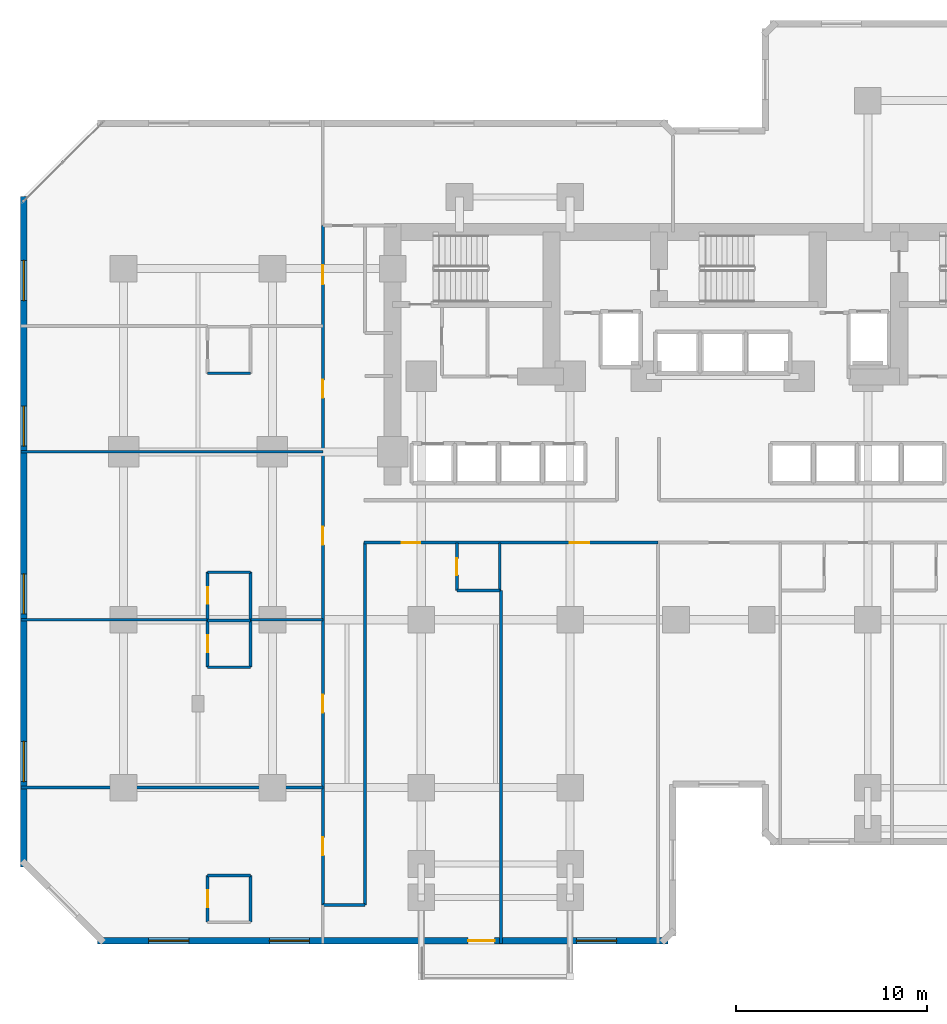
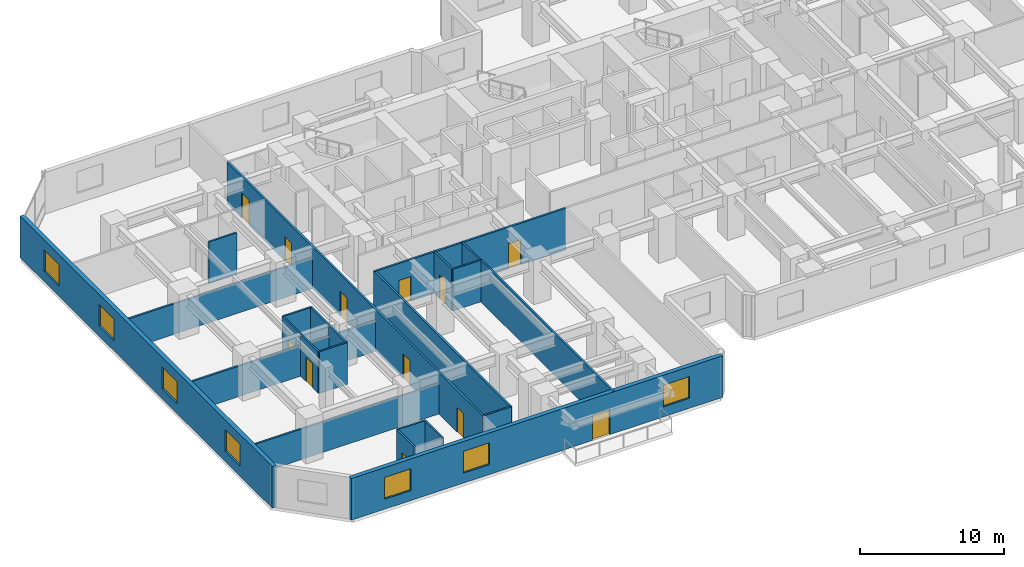
# One storey, part 5 of 12: 25 walls, 12 doors, 7 windows, 19 openings.
"""IFC4 building model written with IfcOpenShell, lengths in metres."""

import ifcopenshell
import ifcopenshell.guid

model = None  # the IFC model being written
_history = None  # IfcOwnerHistory: only IFC2X3 demands one
_inside = {}  # id of a spatial element -> (the spatial element, [elements in it])
_under = {}  # id of a project, library or spatial element -> (it, [spatial elements below it])
_declared = {}  # id of a project -> (the project, [libraries it declares])
_typed = {}  # id of a type object -> (the type object, [elements of that type])
_made_of = {}  # id of a material, layer set ... -> (it, [elements and type objects made of it])


def new_model(schema):
    """Start an empty IFC model of exactly this schema.

    Asked for "IFC4X3", IfcOpenShell would pick the latest addendum, in which some entities
    have other attributes; the version numbers below select the first issue.
    IFC2X3 requires an IfcOwnerHistory on every rooted entity: one is made here for all.
    """
    global model, _history
    if schema == "IFC4X3":
        model = ifcopenshell.file(schema_version=(4, 3, 0, 0))
    else:
        model = ifcopenshell.file(schema=schema)
    _inside.clear()
    _under.clear()
    _declared.clear()
    _typed.clear()
    _made_of.clear()
    _history = None
    if model.schema == "IFC2X3":
        org = make("IfcOrganization", Name="unknown")
        user = make(
            "IfcPersonAndOrganization",
            ThePerson=make("IfcPerson", FamilyName="unknown"),
            TheOrganization=org,
        )
        app = make(
            "IfcApplication",
            ApplicationDeveloper=org,
            Version="unknown",
            ApplicationFullName="unknown",
            ApplicationIdentifier="unknown",
        )
        _history = make(
            "IfcOwnerHistory",
            OwningUser=user,
            OwningApplication=app,
            ChangeAction="ADDED",
            CreationDate=0,
        )
    return model


def make(cls, **values):
    """One entity of the class cls with the attributes given. An attribute that is None is left unset."""
    return model.create_entity(
        cls, **{name: value for name, value in values.items() if value is not None}
    )


def rooted(cls, **values):
    """An entity with a GlobalId (a new one), such as an element, a storey or a relation."""
    return make(cls, GlobalId=ifcopenshell.guid.new(), OwnerHistory=_history, **values)


def si_unit(unit_type, name, prefix=None):
    """IfcSIUnit, for example si_unit("LENGTHUNIT", "METRE", prefix="MILLI")."""
    return make("IfcSIUnit", UnitType=unit_type, Prefix=prefix, Name=name)


def assignment(units):
    """IfcUnitAssignment: the units of a project."""
    return None if units is None else make("IfcUnitAssignment", Units=units)


def point(xyz):
    """IfcCartesianPoint."""
    return None if xyz is None else make("IfcCartesianPoint", Coordinates=xyz)


def direction(xyz):
    """IfcDirection."""
    return None if xyz is None else make("IfcDirection", DirectionRatios=xyz)


def frame(location, z_axis=None, x_axis=None):
    """IfcAxis2Placement3D, a coordinate frame: its origin and axes. An axis left out is left unset."""
    return make(
        "IfcAxis2Placement3D",
        Location=point(location),
        Axis=direction(z_axis),
        RefDirection=direction(x_axis),
    )


def frame_2d(location, x_axis=None):
    """IfcAxis2Placement2D, a coordinate frame in the plane: its origin and x axis."""
    return make(
        "IfcAxis2Placement2D", Location=point(location), RefDirection=direction(x_axis)
    )


def origin():
    """The frame at (0, 0, 0) with its axes left unset."""
    return frame((0.0, 0.0, 0.0))


def place(relative_to, where):
    """IfcLocalPlacement: puts the frame where relative to a parent placement (None: the world)."""
    return make(
        "IfcLocalPlacement", PlacementRelTo=relative_to, RelativePlacement=where
    )


def context(
    kind, dimensions, precision=None, world=None, true_north=None, identifier=None
):
    """IfcGeometricRepresentationContext, for example the 3D "Model" context."""
    return make(
        "IfcGeometricRepresentationContext",
        ContextIdentifier=identifier,
        ContextType=kind,
        CoordinateSpaceDimension=dimensions,
        Precision=precision,
        WorldCoordinateSystem=world,
        TrueNorth=true_north,
    )


def subcontext(parent, identifier, kind, view, scale=None):
    """IfcGeometricRepresentationSubContext, for example "Body" below "Model"."""
    return make(
        "IfcGeometricRepresentationSubContext",
        ContextIdentifier=identifier,
        ContextType=kind,
        ParentContext=parent,
        TargetScale=scale,
        TargetView=view,
    )


def project(units=None, contexts=None):
    """IfcProject with its units and contexts."""
    return rooted(
        "IfcProject",
        Name="project",
        RepresentationContexts=contexts,
        UnitsInContext=assignment(units),
    )


def spatial(cls, under=None, at=None, **own):
    """A site, building, storey or space (cls), placed at a placement, below another one or the project."""
    s = rooted(cls, ObjectPlacement=at, **own)
    if under is not None:
        _under.setdefault(under.id(), (under, []))[1].append(s)
    return s


def profile(cls, at=None, kind="AREA", **sizes):
    """A parametric profile (cls). Its sizes go by their IFC names, for example OverallWidth=200.0."""
    return make(cls, ProfileType=kind, Position=at, **sizes)


def rectangle(**sizes):
    """IfcRectangleProfileDef."""
    return profile("IfcRectangleProfileDef", **sizes)


def extrude(swept, where, along, depth):
    """IfcExtrudedAreaSolid: the profile swept, set in the frame where, extruded along a direction by depth."""
    return make(
        "IfcExtrudedAreaSolid",
        SweptArea=swept,
        Position=where,
        ExtrudedDirection=direction(along),
        Depth=depth,
    )


def shape(context_of_items, identifier, shape_type, items):
    """IfcShapeRepresentation: the items that make up one representation, for example the "Body"."""
    return make(
        "IfcShapeRepresentation",
        ContextOfItems=context_of_items,
        RepresentationIdentifier=identifier,
        RepresentationType=shape_type,
        Items=items,
    )


def material(Name=None, Category=None):
    """IfcMaterial."""
    return make("IfcMaterial", Name=Name, Category=Category)


def layer(
    of_material, thickness, ventilated=None, Name=None, Category=None, Priority=None
):
    """IfcMaterialLayer: one layer of a wall or slab, of a material (None: an air gap)."""
    return make(
        "IfcMaterialLayer",
        Material=of_material,
        LayerThickness=thickness,
        IsVentilated=ventilated,
        Name=Name,
        Category=Category,
        Priority=Priority,
    )


def layer_set(layers, Name=None):
    """IfcMaterialLayerSet."""
    return make("IfcMaterialLayerSet", MaterialLayers=layers, LayerSetName=Name)


def made_of(thing, what):
    """Note that an element or type object is made of a material, layer set ...; save() writes the relation."""
    if what is not None:
        _made_of.setdefault(what.id(), (what, []))[1].append(thing)
    return thing


def type_object(cls, material=None, **own):
    """A type object (cls), such as IfcWallType, which elements share."""
    return made_of(rooted(cls, **own), material)


def element(
    cls,
    number,
    at=None,
    inside=None,
    cuts=None,
    type_object=None,
    material=None,
    context=None,
    identifier="Body",
    shape_type=None,
    held_by="IfcProductDefinitionShape",
    body=None,
    shapes=None,
    **own,
):
    """One element of the class cls, such as IfcWall. Its Tag is "e" and its number.

    at: its placement. inside: the storey or other place that contains it. cuts: it is an
    opening in that element (IfcRelVoidsElement). A single representation is given by context,
    identifier, shape_type and body (its items); several are given by shapes. held_by: the class
    of the entity that holds the representations. save() writes the other relations.
    """
    e = rooted(cls, Tag="e%d" % number, ObjectPlacement=at, **own)
    if body is not None:
        shapes = [shape(context, identifier, shape_type, body)]
    if shapes is not None:
        e.Representation = make(held_by, Representations=shapes)
    if inside is not None:
        _inside.setdefault(inside.id(), (inside, []))[1].append(e)
    if cuts is not None:
        rooted(
            "IfcRelVoidsElement", RelatingBuildingElement=cuts, RelatedOpeningElement=e
        )
    if type_object is not None:
        _typed.setdefault(type_object.id(), (type_object, []))[1].append(e)
    return made_of(e, material)


def fill(opening, filler):
    """IfcRelFillsElement: the door or window that sits in an opening."""
    return rooted(
        "IfcRelFillsElement",
        RelatingOpeningElement=opening,
        RelatedBuildingElement=filler,
    )


def aggregate(whole, parts):
    """IfcRelAggregates: a whole, such as a stair, and the parts it consists of."""
    return rooted("IfcRelAggregates", RelatingObject=whole, RelatedObjects=parts)


def save(model, path):
    """Write the relations noted so far, then the file.

    IfcRelAggregates (storeys below a building ...), IfcRelContainedInSpatialStructure (elements
    in a storey), IfcRelDefinesByType, IfcRelAssociatesMaterial and IfcRelDeclares: one each for
    every whole, place, type object, material and project.
    """
    for whole, parts in _under.values():
        aggregate(whole, parts)
    for where, things in _inside.values():
        rooted(
            "IfcRelContainedInSpatialStructure",
            RelatedElements=things,
            RelatingStructure=where,
        )
    for kind, things in _typed.values():
        rooted("IfcRelDefinesByType", RelatedObjects=things, RelatingType=kind)
    for what, things in _made_of.values():
        rooted("IfcRelAssociatesMaterial", RelatedObjects=things, RelatingMaterial=what)
    for by, libraries in _declared.values():
        rooted("IfcRelDeclares", RelatingContext=by, RelatedDefinitions=libraries)
    model.write(path)


model = new_model("IFC4")

# Units and contexts
model_context = context("Model", 3, precision=1e-05, world=origin(), true_north=direction((0.0, 1.0)))
body_context = subcontext(model_context, "Body", "Model", "MODEL_VIEW")
ifc_project = project(units=[si_unit("LENGTHUNIT", "METRE"), si_unit("AREAUNIT", "SQUARE_METRE"), si_unit("VOLUMEUNIT", "CUBIC_METRE"), si_unit("PLANEANGLEUNIT", "RADIAN"), si_unit("MASSUNIT", "GRAM", prefix="KILO")], contexts=[model_context])

# Site, building, storey
site_placement = place(None, origin())
site = spatial("IfcSite", under=ifc_project, at=site_placement, CompositionType="ELEMENT")
building_placement = place(site_placement, origin())
building = spatial("IfcBuilding", under=site, at=building_placement, Name="Kestravale Grand Hotel", CompositionType="ELEMENT")
storey_placement = place(building_placement, frame((0.0, 0.0, 67.800048828125)))
storey = spatial("IfcBuildingStorey", under=building, at=storey_placement, Name="L16", CompositionType="ELEMENT", Elevation=67.800048828125)

# Wall, openings, door, windows
ifc_material_1 = material(Name="Precast concrete f'c 45 MPa", Category="concrete")
ifc_layer_1 = layer(ifc_material_1, 0.340087890625)
ifc_layer_set_1 = layer_set([ifc_layer_1], Name="EW-PREC-340")
wall_type_1 = type_object("IfcWallType", Name="EW-PREC-340", PredefinedType="SOLIDWALL", material=ifc_layer_set_1)
wall_1_placement = place(storey_placement, frame((6.429931640625, 3.169921875, 0.0), z_axis=(0.0, 0.0, 1.0), x_axis=(1.0, 0.0, 0.0)))
wall_1 = element("IfcWall", 1, at=wall_1_placement, inside=storey, type_object=wall_type_1, Name="L16 fluted precast facade wall 1", PredefinedType="SOLIDWALL", context=body_context, shape_type="SweptSolid", body=[
    extrude(rectangle(XDim=29.89013671875, YDim=0.340087890625, at=frame_2d((14.945068359375, 0.0))), origin(), (0.0, 0.0, 1.0), 3.5400390625),
])
opening_1_placement = place(wall_1_placement, frame((19.419921875, 0.0, 0.0)))
opening_1 = element("IfcOpeningElement", 2, at=opening_1_placement, cuts=wall_1, Name="Opening D-TERR-1400", PredefinedType="OPENING", context=body_context, shape_type="SweptSolid", body=[
    extrude(rectangle(XDim=1.39990234375, YDim=2.14990234375, at=frame_2d((0.699951171875, 1.074951171875))), frame((0.0, 0.179931640625, 0.0), z_axis=(0.0, -1.0, 0.0), x_axis=(1.0, 0.0, 0.0)), (0.0, 0.0, 1.0), 0.360107421875),
])
opening_2_placement = place(wall_1_placement, frame((2.686279296875, 0.0, 0.85009765625)))
opening_2 = element("IfcOpeningElement", 3, at=opening_2_placement, cuts=wall_1, Name="Opening W-GUEST-2100", PredefinedType="OPENING", context=body_context, shape_type="SweptSolid", body=[
    extrude(rectangle(XDim=2.10009765625, YDim=1.85009765625, at=frame_2d((1.050048828125, 0.925048828125))), frame((0.0, 0.179931640625, 0.0), z_axis=(0.0, -1.0, 0.0), x_axis=(1.0, 0.0, 0.0)), (0.0, 0.0, 1.0), 0.360107421875),
])
opening_3_placement = place(wall_1_placement, frame((9.0087890625, 0.0, 0.85009765625)))
opening_3 = element("IfcOpeningElement", 4, at=opening_3_placement, cuts=wall_1, Name="Opening W-GUEST-2100", PredefinedType="OPENING", context=body_context, shape_type="SweptSolid", body=[
    extrude(rectangle(XDim=2.10009765625, YDim=1.85009765625, at=frame_2d((1.050048828125, 0.925048828125))), frame((0.0, 0.179931640625, 0.0), z_axis=(0.0, -1.0, 0.0), x_axis=(1.0, 0.0, 0.0)), (0.0, 0.0, 1.0), 0.360107421875),
])
opening_4_placement = place(wall_1_placement, frame((25.103759765625, 0.0, 0.85009765625)))
opening_4 = element("IfcOpeningElement", 5, at=opening_4_placement, cuts=wall_1, Name="Opening W-GUEST-2100", PredefinedType="OPENING", context=body_context, shape_type="SweptSolid", body=[
    extrude(rectangle(XDim=2.10009765625, YDim=1.85009765625, at=frame_2d((1.050048828125, 0.925048828125))), frame((0.0, 0.179931640625, 0.0), z_axis=(0.0, -1.0, 0.0), x_axis=(1.0, 0.0, 0.0)), (0.0, 0.0, 1.0), 0.360107421875),
])
ifc_material_2 = material(Name="Insulated glazed champagne-bronze aluminium door", Category="aluminium")
door_type_1 = type_object("IfcDoorType", Name="D-TERR-1400", OperationType="NOTDEFINED", PredefinedType="DOOR", material=ifc_material_2)
door_1_placement = place(opening_1_placement, origin())
door_1 = element("IfcDoor", 6, at=door_1_placement, inside=storey, type_object=door_type_1, Name="L16 outdoor garden terrace door", OperationType="DOUBLE_DOOR_SINGLE_SWING", OverallHeight=2.14990234375, OverallWidth=1.39990234375, PredefinedType="DOOR", context=body_context, shape_type="SweptSolid", body=[
    extrude(rectangle(XDim=1.39990234375, YDim=2.14990234375, at=frame_2d((0.699951171875, 1.074951171875))), frame((0.0, 0.02490234375, 0.0), z_axis=(0.0, -1.0, 0.0), x_axis=(1.0, 0.0, 0.0)), (0.0, 0.0, 1.0), 0.050048828125),
])
fill(opening_1, door_1)
ifc_material_3 = material(Name="Insulated low-E double glazing in aluminium frame", Category="aluminium")
window_type = type_object("IfcWindowType", Name="W-GUEST-2100", PartitioningType="DOUBLE_PANEL_VERTICAL", PredefinedType="WINDOW", material=ifc_material_3)
window_1_placement = place(opening_2_placement, origin())
window_1 = element("IfcWindow", 7, at=window_1_placement, inside=storey, type_object=window_type, Name="L16 exterior window 1.1", OverallHeight=1.85009765625, OverallWidth=2.10009765625, PartitioningType="SINGLE_PANEL", PredefinedType="WINDOW", context=body_context, shape_type="SweptSolid", body=[
    extrude(rectangle(XDim=2.10009765625, YDim=1.85009765625, at=frame_2d((1.050048828125, 0.925048828125))), frame((0.0, 0.030029296875, 0.0), z_axis=(0.0, -1.0, 0.0), x_axis=(1.0, 0.0, 0.0)), (0.0, 0.0, 1.0), 0.06005859375),
])
fill(opening_2, window_1)
window_2_placement = place(opening_3_placement, origin())
window_2 = element("IfcWindow", 8, at=window_2_placement, inside=storey, type_object=window_type, Name="L16 exterior window 1.2", OverallHeight=1.85009765625, OverallWidth=2.10009765625, PartitioningType="SINGLE_PANEL", PredefinedType="WINDOW", context=body_context, shape_type="SweptSolid", body=[
    extrude(rectangle(XDim=2.10009765625, YDim=1.85009765625, at=frame_2d((1.050048828125, 0.925048828125))), frame((0.0, 0.030029296875, 0.0), z_axis=(0.0, -1.0, 0.0), x_axis=(1.0, 0.0, 0.0)), (0.0, 0.0, 1.0), 0.06005859375),
])
fill(opening_3, window_2)
window_3_placement = place(opening_4_placement, origin())
window_3 = element("IfcWindow", 9, at=window_3_placement, inside=storey, type_object=window_type, Name="L16 exterior window 1.3", OverallHeight=1.85009765625, OverallWidth=2.10009765625, PartitioningType="SINGLE_PANEL", PredefinedType="WINDOW", context=body_context, shape_type="SweptSolid", body=[
    extrude(rectangle(XDim=2.10009765625, YDim=1.85009765625, at=frame_2d((1.050048828125, 0.925048828125))), frame((0.0, 0.030029296875, 0.0), z_axis=(0.0, -1.0, 0.0), x_axis=(1.0, 0.0, 0.0)), (0.0, 0.0, 1.0), 0.06005859375),
])
fill(opening_4, window_3)

# Wall, openings, windows
wall_2_placement = place(storey_placement, frame((2.570068359375, 42.169921875, 0.0), z_axis=(0.0, 0.0, 1.0), x_axis=(0.0, -1.0, 0.0)))
wall_2 = element("IfcWall", 10, at=wall_2_placement, inside=storey, type_object=wall_type_1, Name="L16 fluted precast facade wall 19", PredefinedType="SOLIDWALL", context=body_context, shape_type="SweptSolid", body=[
    extrude(rectangle(XDim=35.139892578125, YDim=0.340087890625, at=frame_2d((17.56982421875, 0.0))), origin(), (0.0, 0.0, 1.0), 3.5400390625),
])
opening_5_placement = place(wall_2_placement, frame((3.342529296875, 0.0, 0.85009765625)))
opening_5 = element("IfcOpeningElement", 11, at=opening_5_placement, cuts=wall_2, Name="Opening W-GUEST-2100", PredefinedType="OPENING", context=body_context, shape_type="SweptSolid", body=[
    extrude(rectangle(XDim=2.10009765625, YDim=1.85009765625, at=frame_2d((1.050048828125, 0.925048828125))), frame((0.0, 0.179931640625, 0.0), z_axis=(0.0, -1.0, 0.0), x_axis=(1.0, 0.0, 0.0)), (0.0, 0.0, 1.0), 0.360107421875),
])
opening_6_placement = place(wall_2_placement, frame((10.9775390625, 0.0, 0.85009765625)))
opening_6 = element("IfcOpeningElement", 12, at=opening_6_placement, cuts=wall_2, Name="Opening W-GUEST-2100", PredefinedType="OPENING", context=body_context, shape_type="SweptSolid", body=[
    extrude(rectangle(XDim=2.10009765625, YDim=1.85009765625, at=frame_2d((1.050048828125, 0.925048828125))), frame((0.0, 0.179931640625, 0.0), z_axis=(0.0, -1.0, 0.0), x_axis=(1.0, 0.0, 0.0)), (0.0, 0.0, 1.0), 0.360107421875),
])
opening_7_placement = place(wall_2_placement, frame((19.762451171875, 0.0, 0.85009765625)))
opening_7 = element("IfcOpeningElement", 13, at=opening_7_placement, cuts=wall_2, Name="Opening W-GUEST-2100", PredefinedType="OPENING", context=body_context, shape_type="SweptSolid", body=[
    extrude(rectangle(XDim=2.10009765625, YDim=1.85009765625, at=frame_2d((1.050048828125, 0.925048828125))), frame((0.0, 0.179931640625, 0.0), z_axis=(0.0, -1.0, 0.0), x_axis=(1.0, 0.0, 0.0)), (0.0, 0.0, 1.0), 0.360107421875),
])
opening_8_placement = place(wall_2_placement, frame((28.547607421875, 0.0, 0.85009765625)))
opening_8 = element("IfcOpeningElement", 14, at=opening_8_placement, cuts=wall_2, Name="Opening W-GUEST-2100", PredefinedType="OPENING", context=body_context, shape_type="SweptSolid", body=[
    extrude(rectangle(XDim=2.10009765625, YDim=1.85009765625, at=frame_2d((1.050048828125, 0.925048828125))), frame((0.0, 0.179931640625, 0.0), z_axis=(0.0, -1.0, 0.0), x_axis=(1.0, 0.0, 0.0)), (0.0, 0.0, 1.0), 0.360107421875),
])
window_4_placement = place(opening_5_placement, origin())
window_4 = element("IfcWindow", 15, at=window_4_placement, inside=storey, type_object=window_type, Name="L16 exterior window 19.1", OverallHeight=1.85009765625, OverallWidth=2.10009765625, PartitioningType="SINGLE_PANEL", PredefinedType="WINDOW", context=body_context, shape_type="SweptSolid", body=[
    extrude(rectangle(XDim=2.10009765625, YDim=1.85009765625, at=frame_2d((1.050048828125, 0.925048828125))), frame((0.0, 0.030029296875, 0.0), z_axis=(0.0, -1.0, 0.0), x_axis=(1.0, 0.0, 0.0)), (0.0, 0.0, 1.0), 0.06005859375),
])
fill(opening_5, window_4)
window_5_placement = place(opening_6_placement, origin())
window_5 = element("IfcWindow", 16, at=window_5_placement, inside=storey, type_object=window_type, Name="L16 exterior window 19.2", OverallHeight=1.85009765625, OverallWidth=2.10009765625, PartitioningType="SINGLE_PANEL", PredefinedType="WINDOW", context=body_context, shape_type="SweptSolid", body=[
    extrude(rectangle(XDim=2.10009765625, YDim=1.85009765625, at=frame_2d((1.050048828125, 0.925048828125))), frame((0.0, 0.030029296875, 0.0), z_axis=(0.0, -1.0, 0.0), x_axis=(1.0, 0.0, 0.0)), (0.0, 0.0, 1.0), 0.06005859375),
])
fill(opening_6, window_5)
window_6_placement = place(opening_7_placement, origin())
window_6 = element("IfcWindow", 17, at=window_6_placement, inside=storey, type_object=window_type, Name="L16 exterior window 19.3", OverallHeight=1.85009765625, OverallWidth=2.10009765625, PartitioningType="SINGLE_PANEL", PredefinedType="WINDOW", context=body_context, shape_type="SweptSolid", body=[
    extrude(rectangle(XDim=2.10009765625, YDim=1.85009765625, at=frame_2d((1.050048828125, 0.925048828125))), frame((0.0, 0.030029296875, 0.0), z_axis=(0.0, -1.0, 0.0), x_axis=(1.0, 0.0, 0.0)), (0.0, 0.0, 1.0), 0.06005859375),
])
fill(opening_7, window_6)
window_7_placement = place(opening_8_placement, origin())
window_7 = element("IfcWindow", 18, at=window_7_placement, inside=storey, type_object=window_type, Name="L16 exterior window 19.4", OverallHeight=1.85009765625, OverallWidth=2.10009765625, PartitioningType="SINGLE_PANEL", PredefinedType="WINDOW", context=body_context, shape_type="SweptSolid", body=[
    extrude(rectangle(XDim=2.10009765625, YDim=1.85009765625, at=frame_2d((1.050048828125, 0.925048828125))), frame((0.0, 0.030029296875, 0.0), z_axis=(0.0, -1.0, 0.0), x_axis=(1.0, 0.0, 0.0)), (0.0, 0.0, 1.0), 0.06005859375),
])
fill(opening_8, window_7)

# Wall, openings, doors
ifc_material_4 = material(Name="Acoustic fire-rated gypsum board partition", Category="other")
ifc_layer_2 = layer(ifc_material_4, 0.159912109375)
ifc_layer_set_2 = layer_set([ifc_layer_2], Name="IW-CORR-160")
wall_type_2 = type_object("IfcWallType", Name="IW-CORR-160", PredefinedType="PARTITIONING", material=ifc_layer_set_2)
wall_3_placement = place(storey_placement, frame((20.39990234375, 24.0400390625, 0.0), z_axis=(0.0, 0.0, 1.0), x_axis=(1.0, 0.0, 0.0)))
wall_3 = element("IfcWall", 19, at=wall_3_placement, inside=storey, type_object=wall_type_2, Name="W-L16-CW-S", PredefinedType="PARTITIONING", context=body_context, shape_type="SweptSolid", body=[
    extrude(rectangle(XDim=15.400146484375, YDim=0.159912109375, at=frame_2d((7.7001953125, 0.0))), origin(), (0.0, 0.0, 1.0), 3.5400390625),
])
opening_9_placement = place(wall_3_placement, frame((1.989990234375, 0.0, 0.0)))
opening_9 = element("IfcOpeningElement", 20, at=opening_9_placement, cuts=wall_3, Name="Opening D-GUEST-950", PredefinedType="OPENING", context=body_context, shape_type="SweptSolid", body=[
    extrude(rectangle(XDim=0.949951171875, YDim=2.10009765625, at=frame_2d((0.47509765625, 1.050048828125))), frame((0.0, 0.08984375, 0.0), z_axis=(0.0, -1.0, 0.0), x_axis=(1.0, 0.0, 0.0)), (0.0, 0.0, 1.0), 0.179931640625),
])
opening_10_placement = place(wall_3_placement, frame((10.7900390625, 0.0, 0.0)))
opening_10 = element("IfcOpeningElement", 21, at=opening_10_placement, cuts=wall_3, Name="Opening D-GUEST-1000", PredefinedType="OPENING", context=body_context, shape_type="SweptSolid", body=[
    extrude(rectangle(XDim=1.0, YDim=2.14990234375, at=frame_2d((0.5, 1.074951171875))), frame((0.0, 0.08984375, 0.0), z_axis=(0.0, -1.0, 0.0), x_axis=(1.0, 0.0, 0.0)), (0.0, 0.0, 1.0), 0.179931640625),
])
ifc_material_5 = material(Name="Accessible walnut veneer hotel entrance fire door", Category="wood")
door_type_2 = type_object("IfcDoorType", Name="D-GUEST-1000", OperationType="NOTDEFINED", PredefinedType="DOOR", material=ifc_material_5)
door_2_placement = place(opening_10_placement, origin())
door_2 = element("IfcDoor", 22, at=door_2_placement, inside=storey, type_object=door_type_2, Name="D-L16-AMW", OperationType="SINGLE_SWING_LEFT", OverallHeight=2.14990234375, OverallWidth=1.0, PredefinedType="DOOR", context=body_context, shape_type="SweptSolid", body=[
    extrude(rectangle(XDim=1.0, YDim=2.14990234375, at=frame_2d((0.5, 1.074951171875))), frame((0.0, 0.02490234375, 0.0), z_axis=(0.0, -1.0, 0.0), x_axis=(1.0, 0.0, 0.0)), (0.0, 0.0, 1.0), 0.050048828125),
])
fill(opening_10, door_2)
ifc_material_6 = material(Name="Walnut veneer hotel guestroom entrance fire door", Category="wood")
door_type_3 = type_object("IfcDoorType", Name="D-GUEST-950", OperationType="NOTDEFINED", PredefinedType="DOOR", material=ifc_material_6)
door_3_placement = place(opening_9_placement, origin())
door_3 = element("IfcDoor", 23, at=door_3_placement, inside=storey, type_object=door_type_3, Name="D-L16-U01-ENT", OperationType="SINGLE_SWING_RIGHT", OverallHeight=2.10009765625, OverallWidth=0.949951171875, PredefinedType="DOOR", context=body_context, shape_type="SweptSolid", body=[
    extrude(rectangle(XDim=0.949951171875, YDim=2.10009765625, at=frame_2d((0.47509765625, 1.050048828125))), frame((0.0, 0.02490234375, 0.0), z_axis=(0.0, -1.0, 0.0), x_axis=(1.0, 0.0, 0.0)), (0.0, 0.0, 1.0), 0.050048828125),
])
fill(opening_9, door_3)

wall_4_placement = place(storey_placement, frame((18.239990234375, 5.050048828125, 0.0), z_axis=(0.0, 0.0, 1.0), x_axis=(0.0, 1.0, 0.0)))
wall_4 = element("IfcWall", 24, at=wall_4_placement, inside=storey, type_object=wall_type_2, Name="W-L16-SW-W", PredefinedType="PARTITIONING", context=body_context, shape_type="SweptSolid", body=[
    extrude(rectangle(XDim=35.599853515625, YDim=0.159912109375, at=frame_2d((17.7998046875, 0.0))), origin(), (0.0, 0.0, 1.0), 3.5400390625),
])
opening_11_placement = place(wall_4_placement, frame((2.60009765625, 0.0, 0.0)))
opening_11 = element("IfcOpeningElement", 25, at=opening_11_placement, cuts=wall_4, Name="Opening D-GUEST-950", PredefinedType="OPENING", context=body_context, shape_type="SweptSolid", body=[
    extrude(rectangle(XDim=0.949951171875, YDim=2.10009765625, at=frame_2d((0.47509765625, 1.050048828125))), frame((0.0, 0.08984375, 0.0), z_axis=(0.0, -1.0, 0.0), x_axis=(1.0, 0.0, 0.0)), (0.0, 0.0, 1.0), 0.179931640625),
])
opening_12_placement = place(wall_4_placement, frame((10.074951171875, 0.0, 0.0)))
opening_12 = element("IfcOpeningElement", 26, at=opening_12_placement, cuts=wall_4, Name="Opening D-GUEST-950", PredefinedType="OPENING", context=body_context, shape_type="SweptSolid", body=[
    extrude(rectangle(XDim=0.949951171875, YDim=2.10009765625, at=frame_2d((0.47509765625, 1.050048828125))), frame((0.0, 0.08984375, 0.0), z_axis=(0.0, -1.0, 0.0), x_axis=(1.0, 0.0, 0.0)), (0.0, 0.0, 1.0), 0.179931640625),
])
opening_13_placement = place(wall_4_placement, frame((18.875, 0.0, 0.0)))
opening_13 = element("IfcOpeningElement", 27, at=opening_13_placement, cuts=wall_4, Name="Opening D-GUEST-950", PredefinedType="OPENING", context=body_context, shape_type="SweptSolid", body=[
    extrude(rectangle(XDim=0.949951171875, YDim=2.10009765625, at=frame_2d((0.47509765625, 1.050048828125))), frame((0.0, 0.08984375, 0.0), z_axis=(0.0, -1.0, 0.0), x_axis=(1.0, 0.0, 0.0)), (0.0, 0.0, 1.0), 0.179931640625),
])
opening_14_placement = place(wall_4_placement, frame((26.574951171875, 0.0, 0.0)))
opening_14 = element("IfcOpeningElement", 28, at=opening_14_placement, cuts=wall_4, Name="Opening D-GUEST-950", PredefinedType="OPENING", context=body_context, shape_type="SweptSolid", body=[
    extrude(rectangle(XDim=0.949951171875, YDim=2.10009765625, at=frame_2d((0.47509765625, 1.050048828125))), frame((0.0, 0.08984375, 0.0), z_axis=(0.0, -1.0, 0.0), x_axis=(1.0, 0.0, 0.0)), (0.0, 0.0, 1.0), 0.179931640625),
])
opening_15_placement = place(wall_4_placement, frame((32.530029296875, 0.0, 0.0)))
opening_15 = element("IfcOpeningElement", 29, at=opening_15_placement, cuts=wall_4, Name="Opening D-GUEST-1000", PredefinedType="OPENING", context=body_context, shape_type="SweptSolid", body=[
    extrude(rectangle(XDim=1.0, YDim=2.14990234375, at=frame_2d((0.5, 1.074951171875))), frame((0.0, 0.08984375, 0.0), z_axis=(0.0, -1.0, 0.0), x_axis=(1.0, 0.0, 0.0)), (0.0, 0.0, 1.0), 0.179931640625),
])
door_4_placement = place(opening_15_placement, origin())
door_4 = element("IfcDoor", 30, at=door_4_placement, inside=storey, type_object=door_type_2, Name="D-L16-AMWW", OperationType="SINGLE_SWING_LEFT", OverallHeight=2.14990234375, OverallWidth=1.0, PredefinedType="DOOR", context=body_context, shape_type="SweptSolid", body=[
    extrude(rectangle(XDim=1.0, YDim=2.14990234375, at=frame_2d((0.5, 1.074951171875))), frame((0.0, 0.02490234375, 0.0), z_axis=(0.0, -1.0, 0.0), x_axis=(1.0, 0.0, 0.0)), (0.0, 0.0, 1.0), 0.050048828125),
])
fill(opening_15, door_4)
door_5_placement = place(opening_11_placement, origin())
door_5 = element("IfcDoor", 31, at=door_5_placement, inside=storey, type_object=door_type_3, Name="D-L16-U05-ENT", OperationType="SINGLE_SWING_RIGHT", OverallHeight=2.10009765625, OverallWidth=0.949951171875, PredefinedType="DOOR", context=body_context, shape_type="SweptSolid", body=[
    extrude(rectangle(XDim=0.949951171875, YDim=2.10009765625, at=frame_2d((0.47509765625, 1.050048828125))), frame((0.0, 0.02490234375, 0.0), z_axis=(0.0, -1.0, 0.0), x_axis=(1.0, 0.0, 0.0)), (0.0, 0.0, 1.0), 0.050048828125),
])
fill(opening_11, door_5)
door_6_placement = place(opening_12_placement, origin())
door_6 = element("IfcDoor", 32, at=door_6_placement, inside=storey, type_object=door_type_3, Name="D-L16-U06-ENT", OperationType="SINGLE_SWING_RIGHT", OverallHeight=2.10009765625, OverallWidth=0.949951171875, PredefinedType="DOOR", context=body_context, shape_type="SweptSolid", body=[
    extrude(rectangle(XDim=0.949951171875, YDim=2.10009765625, at=frame_2d((0.47509765625, 1.050048828125))), frame((0.0, 0.02490234375, 0.0), z_axis=(0.0, -1.0, 0.0), x_axis=(1.0, 0.0, 0.0)), (0.0, 0.0, 1.0), 0.050048828125),
])
fill(opening_12, door_6)
door_7_placement = place(opening_13_placement, origin())
door_7 = element("IfcDoor", 33, at=door_7_placement, inside=storey, type_object=door_type_3, Name="D-L16-U07-ENT", OperationType="SINGLE_SWING_RIGHT", OverallHeight=2.10009765625, OverallWidth=0.949951171875, PredefinedType="DOOR", context=body_context, shape_type="SweptSolid", body=[
    extrude(rectangle(XDim=0.949951171875, YDim=2.10009765625, at=frame_2d((0.47509765625, 1.050048828125))), frame((0.0, 0.02490234375, 0.0), z_axis=(0.0, -1.0, 0.0), x_axis=(1.0, 0.0, 0.0)), (0.0, 0.0, 1.0), 0.050048828125),
])
fill(opening_13, door_7)
door_8_placement = place(opening_14_placement, origin())
door_8 = element("IfcDoor", 34, at=door_8_placement, inside=storey, type_object=door_type_3, Name="D-L16-U08-ENT", OperationType="SINGLE_SWING_RIGHT", OverallHeight=2.10009765625, OverallWidth=0.949951171875, PredefinedType="DOOR", context=body_context, shape_type="SweptSolid", body=[
    extrude(rectangle(XDim=0.949951171875, YDim=2.10009765625, at=frame_2d((0.47509765625, 1.050048828125))), frame((0.0, 0.02490234375, 0.0), z_axis=(0.0, -1.0, 0.0), x_axis=(1.0, 0.0, 0.0)), (0.0, 0.0, 1.0), 0.050048828125),
])
fill(opening_14, door_8)

# Wall
wall_5_placement = place(storey_placement, frame((20.4599609375, 5.050048828125, 0.0), z_axis=(0.0, 0.0, 1.0), x_axis=(0.0, 1.0, 0.0)))
element("IfcWall", 35, at=wall_5_placement, inside=storey, type_object=wall_type_2, Name="W-L16-SW-E", PredefinedType="PARTITIONING", context=body_context, shape_type="SweptSolid", body=[
    extrude(rectangle(XDim=18.989990234375, YDim=0.159912109375, at=frame_2d((9.4951171875, 0.0))), origin(), (0.0, 0.0, 1.0), 3.5400390625),
])

# Wall, opening, door
ifc_material_7 = material(Name="Moisture-resistant tile-backer plumbing chase wall", Category="other")
ifc_layer_3 = layer(ifc_material_7, 0.139892578125)
ifc_layer_set_3 = layer_set([ifc_layer_3], Name="IW-PLB-140")
wall_type_3 = type_object("IfcWallType", Name="IW-PLB-140", PredefinedType="PLUMBINGWALL", material=ifc_layer_set_3)
wall_6_placement = place(storey_placement, frame((25.27001953125, 21.530029296875, 0.0), z_axis=(0.0, 0.0, 1.0), x_axis=(0.0, 1.0, 0.0)))
wall_6 = element("IfcWall", 36, at=wall_6_placement, inside=storey, type_object=wall_type_3, Name="W-L16-U01-BW", PredefinedType="PLUMBINGWALL", context=body_context, shape_type="SweptSolid", body=[
    extrude(rectangle(XDim=2.489990234375, YDim=0.139892578125, at=frame_2d((1.2451171875, 0.0))), origin(), (0.0, 0.0, 1.0), 3.5400390625),
])
opening_16_placement = place(wall_6_placement, frame((0.804931640625, 0.0, 0.0)))
opening_16 = element("IfcOpeningElement", 37, at=opening_16_placement, cuts=wall_6, Name="Opening D-BATH-880", PredefinedType="OPENING", context=body_context, shape_type="SweptSolid", body=[
    extrude(rectangle(XDim=0.8798828125, YDim=2.050048828125, at=frame_2d((0.43994140625, 1.02490234375))), frame((0.0, 0.079833984375, 0.0), z_axis=(0.0, -1.0, 0.0), x_axis=(1.0, 0.0, 0.0)), (0.0, 0.0, 1.0), 0.159912109375),
])
ifc_material_8 = material(Name="Moisture-sealed walnut en-suite bathroom door", Category="wood")
door_type_4 = type_object("IfcDoorType", Name="D-BATH-880", OperationType="NOTDEFINED", PredefinedType="DOOR", material=ifc_material_8)
door_9_placement = place(opening_16_placement, origin())
door_9 = element("IfcDoor", 38, at=door_9_placement, inside=storey, type_object=door_type_4, Name="D-L16-U01-BATH", OperationType="SINGLE_SWING_LEFT", OverallHeight=2.050048828125, OverallWidth=0.8798828125, PredefinedType="DOOR", context=body_context, shape_type="SweptSolid", body=[
    extrude(rectangle(XDim=0.8798828125, YDim=2.050048828125, at=frame_2d((0.43994140625, 1.02490234375))), frame((0.0, 0.02490234375, 0.0), z_axis=(0.0, -1.0, 0.0), x_axis=(1.0, 0.0, 0.0)), (0.0, 0.0, 1.0), 0.050048828125),
])
fill(opening_16, door_9)

# Walls
wall_7_placement = place(storey_placement, frame((27.52001953125, 21.530029296875, 0.0), z_axis=(0.0, 0.0, 1.0), x_axis=(0.0, 1.0, 0.0)))
element("IfcWall", 39, at=wall_7_placement, inside=storey, type_object=wall_type_3, Name="W-L16-U01-BE", PredefinedType="PLUMBINGWALL", context=body_context, shape_type="SweptSolid", body=[
    extrude(rectangle(XDim=2.489990234375, YDim=0.139892578125, at=frame_2d((1.2451171875, 0.0))), origin(), (0.0, 0.0, 1.0), 3.5400390625),
])
wall_8_placement = place(storey_placement, frame((25.27001953125, 21.530029296875, 0.0), z_axis=(0.0, 0.0, 1.0), x_axis=(1.0, 0.0, 0.0)))
element("IfcWall", 40, at=wall_8_placement, inside=storey, type_object=wall_type_3, Name="W-L16-U01-BS", PredefinedType="PLUMBINGWALL", context=body_context, shape_type="SweptSolid", body=[
    extrude(rectangle(XDim=2.25, YDim=0.139892578125, at=frame_2d((1.125, 0.0))), origin(), (0.0, 0.0, 1.0), 3.5400390625),
])

# Wall, opening, door
wall_9_placement = place(storey_placement, frame((12.199951171875, 4.14990234375, 0.0), z_axis=(0.0, 0.0, 1.0), x_axis=(0.0, 1.0, 0.0)))
wall_9 = element("IfcWall", 41, at=wall_9_placement, inside=storey, type_object=wall_type_3, Name="W-L16-U05-BW", PredefinedType="PLUMBINGWALL", context=body_context, shape_type="SweptSolid", body=[
    extrude(rectangle(XDim=2.4501953125, YDim=0.139892578125, at=frame_2d((1.22509765625, 0.0))), origin(), (0.0, 0.0, 1.0), 3.5400390625),
])
opening_17_placement = place(wall_9_placement, frame((0.784912109375, 0.0, 0.0)))
opening_17 = element("IfcOpeningElement", 42, at=opening_17_placement, cuts=wall_9, Name="Opening D-BATH-880", PredefinedType="OPENING", context=body_context, shape_type="SweptSolid", body=[
    extrude(rectangle(XDim=0.8798828125, YDim=2.050048828125, at=frame_2d((0.43994140625, 1.02490234375))), frame((0.0, 0.079833984375, 0.0), z_axis=(0.0, -1.0, 0.0), x_axis=(1.0, 0.0, 0.0)), (0.0, 0.0, 1.0), 0.159912109375),
])
door_10_placement = place(opening_17_placement, origin())
door_10 = element("IfcDoor", 43, at=door_10_placement, inside=storey, type_object=door_type_4, Name="D-L16-U05-BATH", OperationType="SINGLE_SWING_LEFT", OverallHeight=2.050048828125, OverallWidth=0.8798828125, PredefinedType="DOOR", context=body_context, shape_type="SweptSolid", body=[
    extrude(rectangle(XDim=0.8798828125, YDim=2.050048828125, at=frame_2d((0.43994140625, 1.02490234375))), frame((0.0, 0.02490234375, 0.0), z_axis=(0.0, -1.0, 0.0), x_axis=(1.0, 0.0, 0.0)), (0.0, 0.0, 1.0), 0.050048828125),
])
fill(opening_17, door_10)

# Walls
wall_10_placement = place(storey_placement, frame((14.449951171875, 4.14990234375, 0.0), z_axis=(0.0, 0.0, 1.0), x_axis=(0.0, 1.0, 0.0)))
element("IfcWall", 44, at=wall_10_placement, inside=storey, type_object=wall_type_3, Name="W-L16-U05-BE", PredefinedType="PLUMBINGWALL", context=body_context, shape_type="SweptSolid", body=[
    extrude(rectangle(XDim=2.4501953125, YDim=0.139892578125, at=frame_2d((1.22509765625, 0.0))), origin(), (0.0, 0.0, 1.0), 3.5400390625),
])
wall_11_placement = place(storey_placement, frame((12.199951171875, 6.60009765625, 0.0), z_axis=(0.0, 0.0, 1.0), x_axis=(1.0, 0.0, 0.0)))
element("IfcWall", 45, at=wall_11_placement, inside=storey, type_object=wall_type_3, Name="W-L16-U05-BN", PredefinedType="PLUMBINGWALL", context=body_context, shape_type="SweptSolid", body=[
    extrude(rectangle(XDim=2.25, YDim=0.139892578125, at=frame_2d((1.125, 0.0))), origin(), (0.0, 0.0, 1.0), 3.5400390625),
])

# Wall, opening, door
wall_12_placement = place(storey_placement, frame((12.199951171875, 17.510009765625, 0.0), z_axis=(0.0, 0.0, 1.0), x_axis=(0.0, 1.0, 0.0)))
wall_12 = element("IfcWall", 46, at=wall_12_placement, inside=storey, type_object=wall_type_3, Name="W-L16-U06-BW", PredefinedType="PLUMBINGWALL", context=body_context, shape_type="SweptSolid", body=[
    extrude(rectangle(XDim=2.449951171875, YDim=0.139892578125, at=frame_2d((1.22509765625, 0.0))), origin(), (0.0, 0.0, 1.0), 3.5400390625),
])
opening_18_placement = place(wall_12_placement, frame((0.784912109375, 0.0, 0.0)))
opening_18 = element("IfcOpeningElement", 47, at=opening_18_placement, cuts=wall_12, Name="Opening D-BATH-880", PredefinedType="OPENING", context=body_context, shape_type="SweptSolid", body=[
    extrude(rectangle(XDim=0.8798828125, YDim=2.050048828125, at=frame_2d((0.43994140625, 1.02490234375))), frame((0.0, 0.079833984375, 0.0), z_axis=(0.0, -1.0, 0.0), x_axis=(1.0, 0.0, 0.0)), (0.0, 0.0, 1.0), 0.159912109375),
])
door_11_placement = place(opening_18_placement, origin())
door_11 = element("IfcDoor", 48, at=door_11_placement, inside=storey, type_object=door_type_4, Name="D-L16-U06-BATH", OperationType="SINGLE_SWING_LEFT", OverallHeight=2.050048828125, OverallWidth=0.8798828125, PredefinedType="DOOR", context=body_context, shape_type="SweptSolid", body=[
    extrude(rectangle(XDim=0.8798828125, YDim=2.050048828125, at=frame_2d((0.43994140625, 1.02490234375))), frame((0.0, 0.02490234375, 0.0), z_axis=(0.0, -1.0, 0.0), x_axis=(1.0, 0.0, 0.0)), (0.0, 0.0, 1.0), 0.050048828125),
])
fill(opening_18, door_11)

# Walls
wall_13_placement = place(storey_placement, frame((14.449951171875, 17.510009765625, 0.0), z_axis=(0.0, 0.0, 1.0), x_axis=(0.0, 1.0, 0.0)))
element("IfcWall", 49, at=wall_13_placement, inside=storey, type_object=wall_type_3, Name="W-L16-U06-BE", PredefinedType="PLUMBINGWALL", context=body_context, shape_type="SweptSolid", body=[
    extrude(rectangle(XDim=2.449951171875, YDim=0.139892578125, at=frame_2d((1.22509765625, 0.0))), origin(), (0.0, 0.0, 1.0), 3.5400390625),
])
wall_14_placement = place(storey_placement, frame((12.199951171875, 17.510009765625, 0.0), z_axis=(0.0, 0.0, 1.0), x_axis=(1.0, 0.0, 0.0)))
element("IfcWall", 50, at=wall_14_placement, inside=storey, type_object=wall_type_3, Name="W-L16-U06-BS", PredefinedType="PLUMBINGWALL", context=body_context, shape_type="SweptSolid", body=[
    extrude(rectangle(XDim=2.25, YDim=0.139892578125, at=frame_2d((1.125, 0.0))), origin(), (0.0, 0.0, 1.0), 3.5400390625),
])
wall_15_placement = place(storey_placement, frame((12.199951171875, 19.9599609375, 0.0), z_axis=(0.0, 0.0, 1.0), x_axis=(1.0, 0.0, 0.0)))
element("IfcWall", 51, at=wall_15_placement, inside=storey, type_object=wall_type_3, Name="W-L16-U06-BN", PredefinedType="PLUMBINGWALL", context=body_context, shape_type="SweptSolid", body=[
    extrude(rectangle(XDim=2.25, YDim=0.139892578125, at=frame_2d((1.125, 0.0))), origin(), (0.0, 0.0, 1.0), 2.593017578125),
])

# Wall, opening, door
wall_16_placement = place(storey_placement, frame((12.199951171875, 20.0400390625, 0.0), z_axis=(0.0, 0.0, 1.0), x_axis=(0.0, 1.0, 0.0)))
wall_16 = element("IfcWall", 52, at=wall_16_placement, inside=storey, type_object=wall_type_3, Name="W-L16-U07-BW", PredefinedType="PLUMBINGWALL", context=body_context, shape_type="SweptSolid", body=[
    extrude(rectangle(XDim=2.449951171875, YDim=0.139892578125, at=frame_2d((1.22509765625, 0.0))), origin(), (0.0, 0.0, 1.0), 3.5400390625),
])
opening_19_placement = place(wall_16_placement, frame((0.784912109375, 0.0, 0.0)))
opening_19 = element("IfcOpeningElement", 53, at=opening_19_placement, cuts=wall_16, Name="Opening D-BATH-880", PredefinedType="OPENING", context=body_context, shape_type="SweptSolid", body=[
    extrude(rectangle(XDim=0.8798828125, YDim=2.050048828125, at=frame_2d((0.43994140625, 1.02490234375))), frame((0.0, 0.079833984375, 0.0), z_axis=(0.0, -1.0, 0.0), x_axis=(1.0, 0.0, 0.0)), (0.0, 0.0, 1.0), 0.159912109375),
])
door_12_placement = place(opening_19_placement, origin())
door_12 = element("IfcDoor", 54, at=door_12_placement, inside=storey, type_object=door_type_4, Name="D-L16-U07-BATH", OperationType="SINGLE_SWING_LEFT", OverallHeight=2.050048828125, OverallWidth=0.8798828125, PredefinedType="DOOR", context=body_context, shape_type="SweptSolid", body=[
    extrude(rectangle(XDim=0.8798828125, YDim=2.050048828125, at=frame_2d((0.43994140625, 1.02490234375))), frame((0.0, 0.02490234375, 0.0), z_axis=(0.0, -1.0, 0.0), x_axis=(1.0, 0.0, 0.0)), (0.0, 0.0, 1.0), 0.050048828125),
])
fill(opening_19, door_12)

# Walls
wall_17_placement = place(storey_placement, frame((14.449951171875, 20.0400390625, 0.0), z_axis=(0.0, 0.0, 1.0), x_axis=(0.0, 1.0, 0.0)))
element("IfcWall", 55, at=wall_17_placement, inside=storey, type_object=wall_type_3, Name="W-L16-U07-BE", PredefinedType="PLUMBINGWALL", context=body_context, shape_type="SweptSolid", body=[
    extrude(rectangle(XDim=2.449951171875, YDim=0.139892578125, at=frame_2d((1.22509765625, 0.0))), origin(), (0.0, 0.0, 1.0), 3.5400390625),
])
for number, where, z_axis, x_axis, name in (
    (56, (12.199951171875, 22.489990234375, 0.0), (0.0, 0.0, 1.0), (1.0, 0.0, 0.0), "W-L16-U07-BN"),
    (57, (12.199951171875, 32.909912109375, 0.0), (0.0, 0.0, 1.0), (1.0, 0.0, 0.0), "W-L16-U08-BS"),
):
    element("IfcWall", number, at=place(storey_placement, frame(where, z_axis=z_axis, x_axis=x_axis)), inside=storey, type_object=wall_type_3, Name=name, PredefinedType="PLUMBINGWALL", context=body_context, shape_type="SweptSolid", body=[
        extrude(rectangle(XDim=2.25, YDim=0.139892578125, at=frame_2d((1.125, 0.0))), origin(), (0.0, 0.0, 1.0), 3.5400390625),
    ])
ifc_material_9 = material(Name="Double-stud STC 52 acoustic demising partition", Category="other")
ifc_layer_4 = layer(ifc_material_9, 0.14990234375)
ifc_layer_set_4 = layer_set([ifc_layer_4], Name="IW-UNIT-150")
wall_type_4 = type_object("IfcWallType", Name="IW-UNIT-150", PredefinedType="PARTITIONING", material=ifc_layer_set_4)
wall_18_placement = place(storey_placement, frame((18.239990234375, 5.050048828125, 0.0), z_axis=(0.0, 0.0, 1.0), x_axis=(1.0, 0.0, 0.0)))
element("IfcWall", 58, at=wall_18_placement, inside=storey, type_object=wall_type_4, Name="W-L16-SW-S", PredefinedType="PARTITIONING", context=body_context, shape_type="SweptSolid", body=[
    extrude(rectangle(XDim=2.219970703125, YDim=0.14990234375, at=frame_2d((1.10986328125, 0.0))), origin(), (0.0, 0.0, 1.0), 3.5400390625),
])
wall_19_placement = place(storey_placement, frame((27.580078125, 3.02001953125, 0.0), z_axis=(0.0, 0.0, 1.0), x_axis=(0.0, 1.0, 0.0)))
element("IfcWall", 59, at=wall_19_placement, inside=storey, type_object=wall_type_4, Name="W-L16-WS-1", PredefinedType="PARTITIONING", context=body_context, shape_type="SweptSolid", body=[
    extrude(rectangle(XDim=18.510009765625, YDim=0.14990234375, at=frame_2d((9.2548828125, 0.0))), origin(), (0.0, 0.0, 1.0), 3.5400390625),
])
wall_20_placement = place(storey_placement, frame((2.419921875, 11.199951171875, 0.0), z_axis=(0.0, 0.0, 1.0), x_axis=(1.0, 0.0, 0.0)))
element("IfcWall", 60, at=wall_20_placement, inside=storey, type_object=wall_type_4, Name="W-L16-WW-1", PredefinedType="PARTITIONING", context=body_context, shape_type="SweptSolid", body=[
    extrude(rectangle(XDim=15.820068359375, YDim=0.14990234375, at=frame_2d((7.91015625, 0.0))), origin(), (0.0, 0.0, 1.0), 2.593017578125),
])
wall_21_placement = place(storey_placement, frame((2.419921875, 20.0, 0.0), z_axis=(0.0, 0.0, 1.0), x_axis=(1.0, 0.0, 0.0)))
element("IfcWall", 61, at=wall_21_placement, inside=storey, type_object=wall_type_4, Name="W-L16-WW-2", PredefinedType="PARTITIONING", context=body_context, shape_type="SweptSolid", body=[
    extrude(rectangle(XDim=9.780029296875, YDim=0.14990234375, at=frame_2d((4.89013671875, 0.0))), origin(), (0.0, 0.0, 1.0), 2.593017578125),
])
wall_22_placement = place(storey_placement, frame((14.449951171875, 20.0, 0.0), z_axis=(0.0, 0.0, 1.0), x_axis=(1.0, 0.0, 0.0)))
element("IfcWall", 62, at=wall_22_placement, inside=storey, type_object=wall_type_4, Name="W-L16-WW-2", PredefinedType="PARTITIONING", context=body_context, shape_type="SweptSolid", body=[
    extrude(rectangle(XDim=3.7900390625, YDim=0.14990234375, at=frame_2d((1.89501953125, 0.0))), origin(), (0.0, 0.0, 1.0), 2.593017578125),
])
wall_23_placement = place(storey_placement, frame((2.419921875, 28.800048828125, 0.0), z_axis=(0.0, 0.0, 1.0), x_axis=(1.0, 0.0, 0.0)))
element("IfcWall", 63, at=wall_23_placement, inside=storey, type_object=wall_type_4, Name="W-L16-WW-3", PredefinedType="PARTITIONING", context=body_context, shape_type="SweptSolid", body=[
    extrude(rectangle(XDim=15.820068359375, YDim=0.14990234375, at=frame_2d((7.91015625, 0.0))), origin(), (0.0, 0.0, 1.0), 2.593017578125),
])

save(model, "model.ifc")
